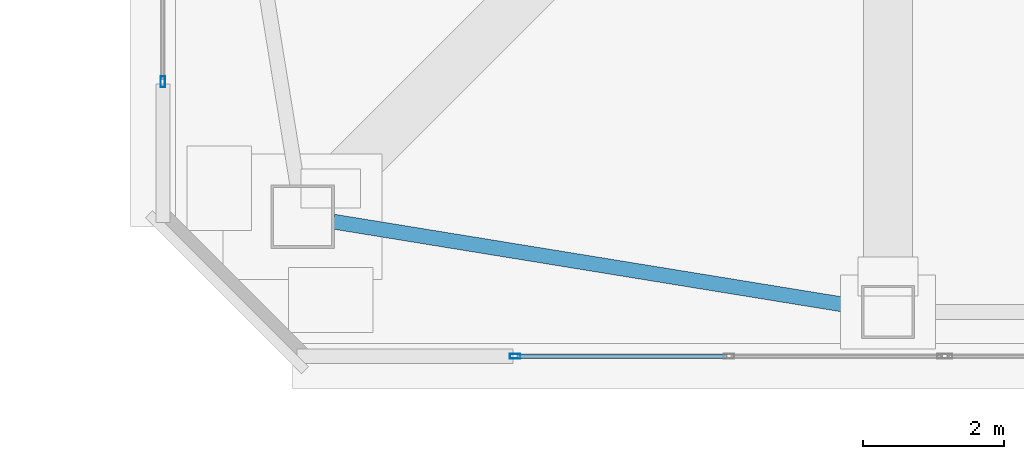
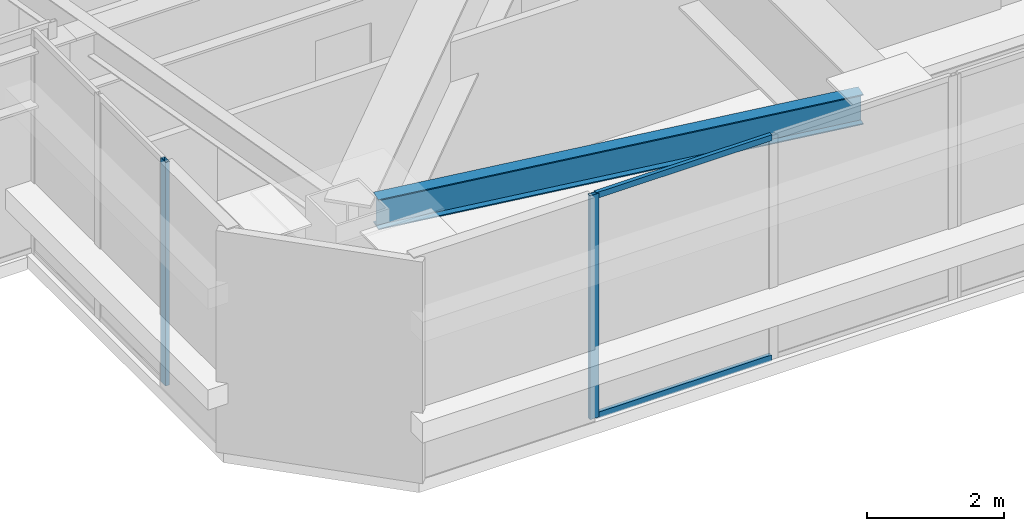
# One storey, part 4 of 51: 4 members, 1 beam, 2 elements without a shape of their own.
"""IFC4 building model written with IfcOpenShell, lengths in metres."""

from ifc_helpers import new_model, si_unit, direction, frame, origin, origin_2d, place, context, subcontext, project, spatial, hollow_rectangle, i_section, extrude, material, material_profile, profile_set, type_object, element, aggregate, save


model = new_model("IFC4")

# Units and contexts
model_context = context("Model", 3, precision=1e-05, world=origin(), true_north=direction((0.0, 1.0)))
body_context = subcontext(model_context, "Body", "Model", "MODEL_VIEW")
ifc_project = project(units=[si_unit("LENGTHUNIT", "METRE"), si_unit("AREAUNIT", "SQUARE_METRE"), si_unit("VOLUMEUNIT", "CUBIC_METRE"), si_unit("PLANEANGLEUNIT", "RADIAN"), si_unit("MASSUNIT", "GRAM", prefix="KILO")], contexts=[model_context])

# Site, building, storey
site_placement = place(None, origin())
site = spatial("IfcSite", under=ifc_project, at=site_placement, CompositionType="ELEMENT")
building_placement = place(site_placement, origin())
building = spatial("IfcBuilding", under=site, at=building_placement, Name="Tashvorn Skyway Center", CompositionType="ELEMENT")
storey_placement = place(building_placement, frame((0.0, 0.0, 259.39990234375)))
storey = spatial("IfcBuildingStorey", under=building, at=storey_placement, Name="L70", CompositionType="ELEMENT", Elevation=259.39990234375)

# Beam
ifc_material_1 = material(Name="Steel ASTM A992 Grade 50", Category="steel")
ifc_material_profile_1 = material_profile(ifc_material_1, i_section(OverallWidth=0.2109375, OverallDepth=0.5390625, WebThickness=0.01171875, FlangeThickness=0.018798828125, at=origin_2d()), Name="W21X73")
ifc_profile_set_1 = profile_set([ifc_material_profile_1], Name="Steel ASTM A992 Grade 50")
beam_type = type_object("IfcBeamType", Name="BM-SPANDREL-W21X73", PredefinedType="SPANDREL", material=ifc_profile_set_1)
beam_placement = place(storey_placement, frame((28.7392578125, 18.228515625, 3.4306640625), z_axis=(0.987032749583, -0.160519005885, 0.0), x_axis=(0.160519005885, 0.987032749583, 0.0)))
element("IfcBeam", 1, at=beam_placement, inside=storey, type_object=beam_type, Name="Tower 1 L70 Spandrel Beam 01", PredefinedType="SPANDREL", context=body_context, shape_type="SweptSolid", body=[
    extrude(i_section(OverallWidth=0.2109375, OverallDepth=0.5390625, WebThickness=0.01171875, FlangeThickness=0.018798828125, at=origin_2d()), origin(), (0.0, 0.0, 1.0), 7.593994140625),
])

# Curtain wall, member
ifc_material_2 = material(Name="Thermally broken bronze-anodized aluminium 6063-T6", Category="aluminium")
curtain_wall_type = type_object("IfcCurtainWallType", Name="CW-CW-SKY", PredefinedType="NOTDEFINED", material=ifc_material_2)
curtain_wall_1_placement = place(storey_placement, origin())
curtain_wall_1 = element("IfcCurtainWall", 2, at=curtain_wall_1_placement, inside=storey, type_object=curtain_wall_type, Name="Tower 1 L70 South Unitised Curtain Wall Glazing Group 3", PredefinedType="NOTDEFINED")
ifc_material_profile_2 = material_profile(ifc_material_2, hollow_rectangle(XDim=0.06494140625, YDim=0.14990234375, WallThickness=0.00390625, at=origin_2d()), Name="ALU-MULL-65x150")
ifc_profile_set_2 = profile_set([ifc_material_profile_2], Name="Thermally broken bronze-anodized aluminium 6063-T6")
member_type_1 = type_object("IfcMemberType", Name="CWM-CW-SKY", PredefinedType="MULLION", material=ifc_profile_set_2)
member_1_placement = place(storey_placement, frame((31.314697265625, 16.320068359375, 0.0), z_axis=(0.0, 0.0, 1.0), x_axis=(0.0, -1.0, 0.0)))
member_1 = element("IfcMember", 3, at=member_1_placement, type_object=member_type_1, Name="CW-SKY mullion 3", PredefinedType="MULLION", context=body_context, shape_type="SweptSolid", body=[
    extrude(hollow_rectangle(XDim=0.06494140625, YDim=0.14990234375, WallThickness=0.00390625, at=origin_2d()), origin(), (0.0, 0.0, 1.0), 4.0),
])

curtain_wall_2_placement = place(storey_placement, origin())
curtain_wall_2 = element("IfcCurtainWall", 4, at=curtain_wall_2_placement, inside=storey, type_object=curtain_wall_type, Name="Tower 1 L70 West Curtain Wall A Glazing Group 1", PredefinedType="NOTDEFINED")
member_2_placement = place(storey_placement, frame((26.320068359375, 20.21240234375, 0.0), z_axis=(0.0, 0.0, 1.0), x_axis=(-1.0, 0.0, 0.0)))
member_2 = element("IfcMember", 5, at=member_2_placement, type_object=member_type_1, Name="CW-SKY mullion 1", PredefinedType="MULLION", context=body_context, shape_type="SweptSolid", body=[
    extrude(hollow_rectangle(XDim=0.06494140625, YDim=0.14990234375, WallThickness=0.00390625, at=origin_2d()), origin(), (0.0, 0.0, 1.0), 4.0),
])
aggregate(curtain_wall_2, [member_2])

# Member
ifc_material_profile_3 = material_profile(ifc_material_2, hollow_rectangle(XDim=0.06494140625, YDim=0.10498046875, WallThickness=0.00390625, at=origin_2d()), Name="ALU-TRAN-65x105")
ifc_profile_set_3 = profile_set([ifc_material_profile_3], Name="Thermally broken bronze-anodized aluminium 6063-T6")
member_type_2 = type_object("IfcMemberType", Name="CWT-CW-SKY", PredefinedType="USERDEFINED", material=ifc_profile_set_3)
member_3_placement = place(storey_placement, frame((34.31201171875, 16.320068359375, 0.03271484375), z_axis=(-1.0, 0.0, 0.0), x_axis=(0.0, -1.0, 0.0)))
member_3 = element("IfcMember", 6, at=member_3_placement, type_object=member_type_2, Name="CW-SKY transom 2.1", ObjectType="TRANSOM", PredefinedType="USERDEFINED", context=body_context, shape_type="SweptSolid", body=[
    extrude(hollow_rectangle(XDim=0.06494140625, YDim=0.10498046875, WallThickness=0.00390625, at=origin_2d()), origin(), (0.0, 0.0, 1.0), 2.96484375),
])

member_4_placement = place(storey_placement, frame((34.31201171875, 16.320068359375, 3.967529296875), z_axis=(-1.0, 0.0, 0.0), x_axis=(0.0, -1.0, 0.0)))
member_4 = element("IfcMember", 7, at=member_4_placement, type_object=member_type_2, Name="CW-SKY transom 2.2", ObjectType="TRANSOM", PredefinedType="USERDEFINED", context=body_context, shape_type="SweptSolid", body=[
    extrude(hollow_rectangle(XDim=0.06494140625, YDim=0.10498046875, WallThickness=0.00390625, at=origin_2d()), origin(), (0.0, 0.0, 1.0), 2.96484375),
])

aggregate(curtain_wall_1, [member_1, member_3, member_4])

save(model, "model.ifc")
